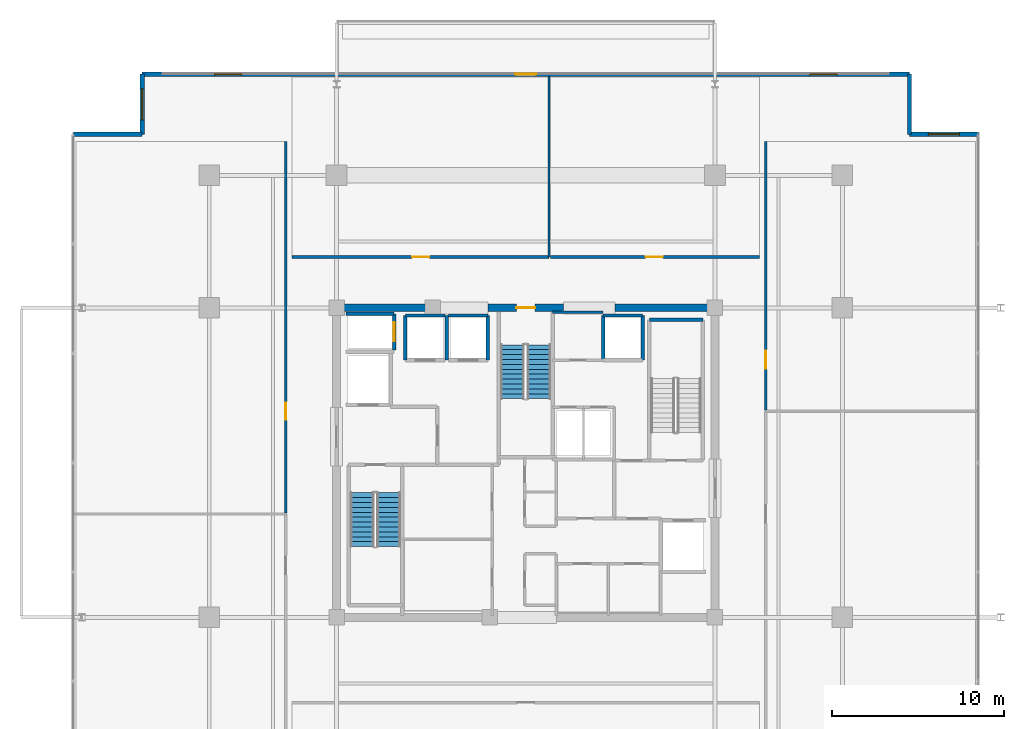
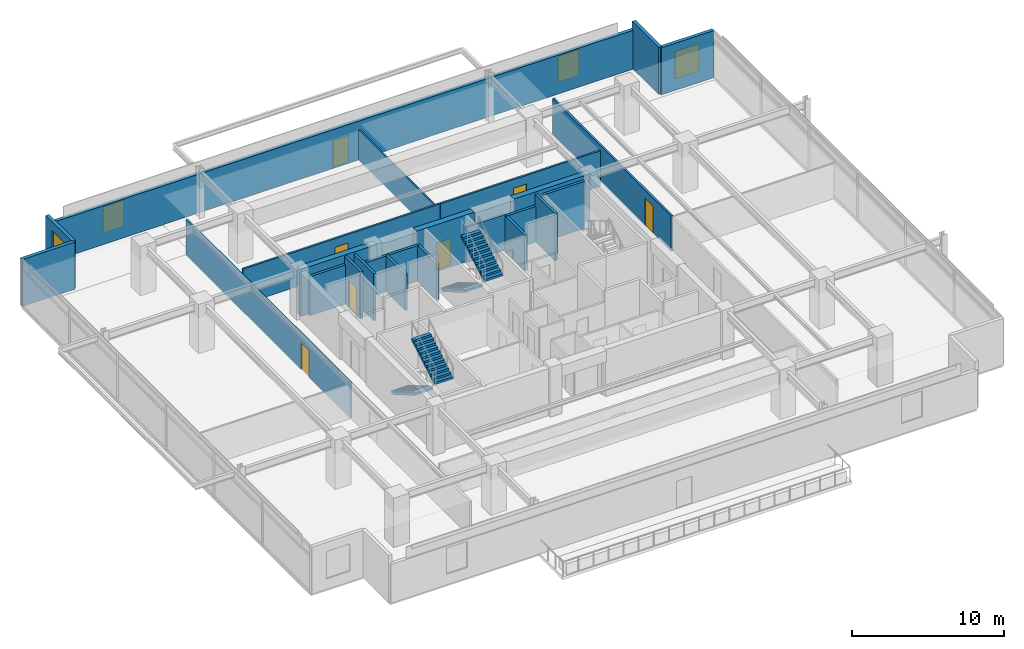
# One storey, part 17 of 23: 25 walls, 7 doors, 4 stair flights, 4 windows, 11 openings, 2 elements without a shape of their own.
"""IFC4 building model written with IfcOpenShell, lengths in metres."""

from ifc_helpers import new_model, si_unit, direction, frame, frame_2d, origin, place, context, subcontext, project, spatial, polyline, rectangle, outline, extrude, material, layer, layer_set, type_object, element, fill, aggregate, save


model = new_model("IFC4")

# Units and contexts
model_context = context("Model", 3, precision=1e-05, world=origin(), true_north=direction((0.0, 1.0)))
body_context = subcontext(model_context, "Body", "Model", "MODEL_VIEW")
ifc_project = project(units=[si_unit("LENGTHUNIT", "METRE"), si_unit("AREAUNIT", "SQUARE_METRE"), si_unit("VOLUMEUNIT", "CUBIC_METRE"), si_unit("PLANEANGLEUNIT", "RADIAN"), si_unit("MASSUNIT", "GRAM", prefix="KILO")], contexts=[model_context])

# Site, building, storey
site_placement = place(None, origin())
site = spatial("IfcSite", under=ifc_project, at=site_placement, CompositionType="ELEMENT")
building_placement = place(site_placement, origin())
building = spatial("IfcBuilding", under=site, at=building_placement, Name="Kovane Verandah Tower", CompositionType="ELEMENT")
storey_placement = place(building_placement, frame((0.0, 0.0, 243.199951171875)))
storey = spatial("IfcBuildingStorey", under=building, at=storey_placement, Name="L56", CompositionType="ELEMENT", Elevation=243.199951171875)

# Wall
ifc_material_1 = material(Name="Fire-Rated Gypsum Stud Partition", Category="gypsum")
ifc_layer_1 = layer(ifc_material_1, 0.14990234375)
ifc_layer_set_1 = layer_set([ifc_layer_1], Name="Fire-Rated Gypsum Stud Partition")
wall_type_1 = type_object("IfcWallType", Name="WL-COR-150", PredefinedType="PARTITIONING", material=ifc_layer_set_1)
wall_1_placement = place(storey_placement, frame((41.56005859375, 36.25, 0.0), z_axis=(0.0, 0.0, 1.0), x_axis=(1.0, 0.0, 0.0)))
element("IfcWall", 1, at=wall_1_placement, inside=storey, type_object=wall_type_1, Name="L56 Sky Telecom Riser North Wall", PredefinedType="PARTITIONING", context=body_context, shape_type="SweptSolid", body=[
    extrude(rectangle(XDim=2.93994140625, YDim=0.14990234375, at=frame_2d((1.469970703125, 0.0))), origin(), (0.0, 0.0, 1.0), 2.85009765625),
])

# Wall, opening, door
wall_2_placement = place(storey_placement, frame((26.39990234375, 39.449951171875, 0.0), z_axis=(0.0, 0.0, 1.0), x_axis=(1.0, 0.0, 0.0)))
wall_2 = element("IfcWall", 2, at=wall_2_placement, inside=storey, type_object=wall_type_1, Name="L56 Meeting Room N1 Corridor Partition", PredefinedType="PARTITIONING", context=body_context, shape_type="SweptSolid", body=[
    extrude(rectangle(XDim=14.960205078125, YDim=0.14990234375, at=frame_2d((7.47998046875, 0.0))), origin(), (0.0, 0.0, 1.0), 2.85009765625),
])
opening_1_placement = place(wall_2_placement, frame((6.9951171875, 0.0, 0.0)))
opening_1 = element("IfcOpeningElement", 3, at=opening_1_placement, cuts=wall_2, Name="Opening DR-L56-021", PredefinedType="OPENING", context=body_context, shape_type="SweptSolid", body=[
    extrude(rectangle(XDim=1.0, YDim=2.14990234375, at=frame_2d((0.5, 1.074951171875))), frame((0.0, 0.074951171875, 0.0), z_axis=(0.0, -1.0, 0.0), x_axis=(1.0, 0.0, 0.0)), (0.0, 0.0, 1.0), 0.14990234375),
])
ifc_material_2 = material(Name="FSC Spotted-Gum Timber Fire-Rated Office Door", Category="wood")
door_type_1 = type_object("IfcDoorType", Name="DR-OFF-1000", OperationType="SINGLE_SWING_LEFT", PredefinedType="DOOR", material=ifc_material_2)
door_1_placement = place(opening_1_placement, origin())
door_1 = element("IfcDoor", 4, at=door_1_placement, inside=storey, type_object=door_type_1, Name="L56 Meeting Room N1 Entrance Door", OperationType="SINGLE_SWING_RIGHT", OverallHeight=2.14990234375, OverallWidth=1.0, PredefinedType="DOOR", context=body_context, shape_type="SweptSolid", body=[
    extrude(rectangle(XDim=1.0, YDim=2.14990234375, at=frame_2d((0.5, 1.074951171875))), frame((0.0, 0.02490234375, 0.0), z_axis=(0.0, -1.0, 0.0), x_axis=(1.0, 0.0, 0.0)), (0.0, 0.0, 1.0), 0.050048828125),
])
fill(opening_1, door_1)

wall_3_placement = place(storey_placement, frame((41.429931640625, 39.449951171875, 0.0), z_axis=(0.0, 0.0, 1.0), x_axis=(1.0, 0.0, 0.0)))
wall_3 = element("IfcWall", 5, at=wall_3_placement, inside=storey, type_object=wall_type_1, Name="L56 Focus Studio N2 Corridor Partition", PredefinedType="PARTITIONING", context=body_context, shape_type="SweptSolid", body=[
    extrude(rectangle(XDim=12.170166015625, YDim=0.14990234375, at=frame_2d((6.0849609375, 0.0))), origin(), (0.0, 0.0, 1.0), 2.85009765625),
])
opening_2_placement = place(wall_3_placement, frame((5.534912109375, 0.0, 0.0)))
opening_2 = element("IfcOpeningElement", 6, at=opening_2_placement, cuts=wall_3, Name="Opening DR-L56-022", PredefinedType="OPENING", context=body_context, shape_type="SweptSolid", body=[
    extrude(rectangle(XDim=1.0, YDim=2.14990234375, at=frame_2d((0.5, 1.074951171875))), frame((0.0, 0.074951171875, 0.0), z_axis=(0.0, -1.0, 0.0), x_axis=(1.0, 0.0, 0.0)), (0.0, 0.0, 1.0), 0.14990234375),
])
door_2_placement = place(opening_2_placement, origin())
door_2 = element("IfcDoor", 7, at=door_2_placement, inside=storey, type_object=door_type_1, Name="L56 Focus Studio N2 Entrance Door", OperationType="SINGLE_SWING_LEFT", OverallHeight=2.14990234375, OverallWidth=1.0, PredefinedType="DOOR", context=body_context, shape_type="SweptSolid", body=[
    extrude(rectangle(XDim=1.0, YDim=2.14990234375, at=frame_2d((0.5, 1.074951171875))), frame((0.0, 0.02490234375, 0.0), z_axis=(0.0, -1.0, 0.0), x_axis=(1.0, 0.0, 0.0)), (0.0, 0.0, 1.0), 0.050048828125),
])
fill(opening_2, door_2)

wall_4_placement = place(storey_placement, frame((26.050048828125, 24.581298828125, 0.0), z_axis=(0.0, 0.0, 1.0), x_axis=(0.0, 1.0, 0.0)))
wall_4 = element("IfcWall", 8, at=wall_4_placement, inside=storey, type_object=wall_type_1, Name="L56 Document and Print Room W2 Corridor Partition", PredefinedType="PARTITIONING", context=body_context, shape_type="SweptSolid", body=[
    extrude(rectangle(XDim=21.5986328125, YDim=0.14990234375, at=frame_2d((10.79931640625, 0.0))), origin(), (0.0, 0.0, 1.0), 2.85009765625),
])
opening_3_placement = place(wall_4_placement, frame((5.409423828125, 0.0, 0.0)))
opening_3 = element("IfcOpeningElement", 9, at=opening_3_placement, cuts=wall_4, Name="Opening DR-L56-028", PredefinedType="OPENING", context=body_context, shape_type="SweptSolid", body=[
    extrude(rectangle(XDim=1.0, YDim=2.14990234375, at=frame_2d((0.5, 1.074951171875))), frame((0.0, 0.074951171875, 0.0), z_axis=(0.0, -1.0, 0.0), x_axis=(1.0, 0.0, 0.0)), (0.0, 0.0, 1.0), 0.14990234375),
])
door_3_placement = place(opening_3_placement, origin())
door_3 = element("IfcDoor", 10, at=door_3_placement, inside=storey, type_object=door_type_1, Name="L56 Document and Print Room W2 Entrance Door", OperationType="SINGLE_SWING_RIGHT", OverallHeight=2.14990234375, OverallWidth=1.0, PredefinedType="DOOR", context=body_context, shape_type="SweptSolid", body=[
    extrude(rectangle(XDim=1.0, YDim=2.14990234375, at=frame_2d((0.5, 1.074951171875))), frame((0.0, 0.02490234375, 0.0), z_axis=(0.0, -1.0, 0.0), x_axis=(1.0, 0.0, 0.0)), (0.0, 0.0, 1.0), 0.050048828125),
])
fill(opening_3, door_3)

wall_5_placement = place(storey_placement, frame((53.949951171875, 30.558837890625, 0.0), z_axis=(0.0, 0.0, 1.0), x_axis=(0.0, 1.0, 0.0)))
wall_5 = element("IfcWall", 11, at=wall_5_placement, inside=storey, type_object=wall_type_1, Name="L56 Executive Office E2 Corridor Partition", PredefinedType="PARTITIONING", context=body_context, shape_type="SweptSolid", body=[
    extrude(rectangle(XDim=15.62109375, YDim=0.14990234375, at=frame_2d((7.810546875, 0.0))), origin(), (0.0, 0.0, 1.0), 2.85009765625),
])
opening_4_placement = place(wall_5_placement, frame((2.3955078125, 0.0, 0.0)))
opening_4 = element("IfcOpeningElement", 12, at=opening_4_placement, cuts=wall_5, Name="Opening DR-L56-012", PredefinedType="OPENING", context=body_context, shape_type="SweptSolid", body=[
    extrude(rectangle(XDim=1.050048828125, YDim=2.199951171875, at=frame_2d((0.52490234375, 1.10009765625))), frame((0.0, 0.074951171875, 0.0), z_axis=(0.0, -1.0, 0.0), x_axis=(1.0, 0.0, 0.0)), (0.0, 0.0, 1.0), 0.14990234375),
])
ifc_material_3 = material(Name="FSC Blackbutt Timber Fire-Rated Executive Door", Category="wood")
door_type_2 = type_object("IfcDoorType", Name="DR-EXEC-1050", OperationType="SINGLE_SWING_LEFT", PredefinedType="DOOR", material=ifc_material_3)
door_4_placement = place(opening_4_placement, origin())
door_4 = element("IfcDoor", 13, at=door_4_placement, inside=storey, type_object=door_type_2, Name="L56 Executive Office E2 Entrance Door", OperationType="SINGLE_SWING_RIGHT", OverallHeight=2.199951171875, OverallWidth=1.050048828125, PredefinedType="DOOR", context=body_context, shape_type="SweptSolid", body=[
    extrude(rectangle(XDim=1.050048828125, YDim=2.199951171875, at=frame_2d((0.52490234375, 1.10009765625))), frame((0.0, 0.02490234375, 0.0), z_axis=(0.0, -1.0, 0.0), x_axis=(1.0, 0.0, 0.0)), (0.0, 0.0, 1.0), 0.050048828125),
])
fill(opening_4, door_4)

# Wall
ifc_material_4 = material(Name="Concrete C60/75", Category="concrete")
ifc_layer_2 = layer(ifc_material_4, 0.449951171875)
ifc_layer_set_2 = layer_set([ifc_layer_2], Name="Concrete C60/75")
wall_type_2 = type_object("IfcWallType", Name="WL-CORE-450", PredefinedType="SHEAR", material=ifc_layer_set_2)
wall_6_placement = place(storey_placement, frame((29.0, 36.5, 0.0), z_axis=(0.0, 0.0, 1.0), x_axis=(1.0, 0.0, 0.0)))
element("IfcWall", 14, at=wall_6_placement, inside=storey, type_object=wall_type_2, Name="L56 Core Shear Wall CN-1", PredefinedType="SHEAR", context=body_context, shape_type="SweptSolid", body=[
    extrude(rectangle(XDim=5.800048828125, YDim=0.449951171875, at=frame_2d((2.89990234375, 0.0))), origin(), (0.0, 0.0, 1.0), 3.78515625),
])

# Wall, opening, door
wall_7_placement = place(storey_placement, frame((37.800048828125, 36.5, 0.0), z_axis=(0.0, 0.0, 1.0), x_axis=(1.0, 0.0, 0.0)))
wall_7 = element("IfcWall", 15, at=wall_7_placement, inside=storey, type_object=wall_type_2, Name="L56 Core Shear Wall CN-2", PredefinedType="SHEAR", context=body_context, shape_type="SweptSolid", body=[
    extrude(rectangle(XDim=4.39990234375, YDim=0.449951171875, at=frame_2d((2.199951171875, 0.0))), origin(), (0.0, 0.0, 1.0), 3.78515625),
])
opening_5_placement = place(wall_7_placement, frame((1.64990234375, 0.0, 0.0)))
opening_5 = element("IfcOpeningElement", 16, at=opening_5_placement, cuts=wall_7, Name="Opening DR-L56-010", PredefinedType="OPENING", context=body_context, shape_type="SweptSolid", body=[
    extrude(rectangle(XDim=1.10009765625, YDim=2.14990234375, at=frame_2d((0.550048828125, 1.074951171875))), frame((0.0, 0.22509765625, 0.0), z_axis=(0.0, -1.0, 0.0), x_axis=(1.0, 0.0, 0.0)), (0.0, 0.0, 1.0), 0.449951171875),
])
ifc_material_5 = material(Name="Fire-Rated Steel Exit Door", Category="steel")
door_type_3 = type_object("IfcDoorType", Name="DR-STAIR-1100", OperationType="SINGLE_SWING_LEFT", PredefinedType="DOOR", material=ifc_material_5)
door_5_placement = place(opening_5_placement, origin())
door_5 = element("IfcDoor", 17, at=door_5_placement, inside=storey, type_object=door_type_3, Name="L56 ST-03 Fire Exit Stair Door", OperationType="SINGLE_SWING_RIGHT", OverallHeight=2.14990234375, OverallWidth=1.10009765625, PredefinedType="DOOR", context=body_context, shape_type="SweptSolid", body=[
    extrude(rectangle(XDim=1.10009765625, YDim=2.14990234375, at=frame_2d((0.550048828125, 1.074951171875))), frame((0.0, 0.02490234375, 0.0), z_axis=(0.0, -1.0, 0.0), x_axis=(1.0, 0.0, 0.0)), (0.0, 0.0, 1.0), 0.050048828125),
])
fill(opening_5, door_5)

# Walls
wall_8_placement = place(storey_placement, frame((45.199951171875, 36.5, 0.0), z_axis=(0.0, 0.0, 1.0), x_axis=(1.0, 0.0, 0.0)))
element("IfcWall", 18, at=wall_8_placement, inside=storey, type_object=wall_type_2, Name="L56 Core Shear Wall CN-3", PredefinedType="SHEAR", context=body_context, shape_type="SweptSolid", body=[
    extrude(rectangle(XDim=5.800048828125, YDim=0.449951171875, at=frame_2d((2.89990234375, 0.0))), origin(), (0.0, 0.0, 1.0), 3.78515625),
])
ifc_material_6 = material(Name="Concrete C45/55 Lift Shaft Wall", Category="concrete")
ifc_layer_3 = layer(ifc_material_6, 0.199951171875)
ifc_layer_set_3 = layer_set([ifc_layer_3], Name="Concrete C45/55 Lift Shaft Wall")
wall_type_3 = type_object("IfcWallType", Name="WL-LIFT-200", PredefinedType="SOLIDWALL", material=ifc_layer_set_3)
wall_9_placement = place(storey_placement, frame((32.35009765625, 36.14990234375, 0.0), z_axis=(0.0, 0.0, 1.0), x_axis=(-1.0, 0.0, 0.0)))
element("IfcWall", 19, at=wall_9_placement, inside=storey, type_object=wall_type_3, Name="L56 Lift GL-01 N Shaft Wall", PredefinedType="SOLIDWALL", context=body_context, shape_type="SweptSolid", body=[
    extrude(rectangle(XDim=2.800048828125, YDim=0.199951171875, at=frame_2d((1.39990234375, 0.0))), origin(), (0.0, 0.0, 1.0), 3.14794921875),
])

# Wall, opening, door
wall_10_placement = place(storey_placement, frame((32.35009765625, 34.050048828125, 0.0), z_axis=(0.0, 0.0, 1.0), x_axis=(0.0, 1.0, 0.0)))
wall_10 = element("IfcWall", 20, at=wall_10_placement, inside=storey, type_object=wall_type_3, Name="L56 Lift GL-01 E Shaft Wall", PredefinedType="SOLIDWALL", context=body_context, shape_type="SweptSolid", body=[
    extrude(rectangle(XDim=2.099853515625, YDim=0.199951171875, at=frame_2d((1.0498046875, 0.0))), origin(), (0.0, 0.0, 1.0), 3.78515625),
])
opening_6_placement = place(wall_10_placement, frame((0.5, 0.0, 0.0)))
opening_6 = element("IfcOpeningElement", 21, at=opening_6_placement, cuts=wall_10, Name="Opening LD-L56-003", PredefinedType="OPENING", context=body_context, shape_type="SweptSolid", body=[
    extrude(rectangle(XDim=1.10009765625, YDim=2.199951171875, at=frame_2d((0.550048828125, 1.10009765625))), frame((0.0, 0.10009765625, 0.0), z_axis=(0.0, -1.0, 0.0), x_axis=(1.0, 0.0, 0.0)), (0.0, 0.0, 1.0), 0.199951171875),
])
ifc_material_7 = material(Name="Brushed Stainless Steel Sliding Lift Landing Door", Category="steel")
door_type_4 = type_object("IfcDoorType", Name="DR-LIFT-1100", OperationType="SLIDING_TO_RIGHT", PredefinedType="DOOR", material=ifc_material_7)
door_6_placement = place(opening_6_placement, origin())
door_6 = element("IfcDoor", 22, at=door_6_placement, inside=storey, type_object=door_type_4, Name="L56 Lift GL-01 Sliding Landing Door", OperationType="SLIDING_TO_RIGHT", OverallHeight=2.199951171875, OverallWidth=1.10009765625, PredefinedType="DOOR", context=body_context, shape_type="SweptSolid", body=[
    extrude(rectangle(XDim=1.10009765625, YDim=2.199951171875, at=frame_2d((0.550048828125, 1.10009765625))), frame((0.0, 0.02490234375, 0.0), z_axis=(0.0, -1.0, 0.0), x_axis=(1.0, 0.0, 0.0)), (0.0, 0.0, 1.0), 0.050048828125),
])
fill(opening_6, door_6)

# Walls
wall_11_placement = place(storey_placement, frame((35.300048828125, 36.050048828125, 0.0), z_axis=(0.0, 0.0, 1.0), x_axis=(-1.0, 0.0, 0.0)))
element("IfcWall", 23, at=wall_11_placement, inside=storey, type_object=wall_type_3, Name="L56 Lift PL-H1 N Shaft Wall", PredefinedType="SOLIDWALL", context=body_context, shape_type="SweptSolid", body=[
    extrude(rectangle(XDim=2.300048828125, YDim=0.199951171875, at=frame_2d((1.14990234375, 0.0))), origin(), (0.0, 0.0, 1.0), 2.864990234375),
])
wall_12_placement = place(storey_placement, frame((33.0, 36.050048828125, 0.0), z_axis=(0.0, 0.0, 1.0), x_axis=(0.0, -1.0, 0.0)))
element("IfcWall", 24, at=wall_12_placement, inside=storey, type_object=wall_type_3, Name="L56 Lift PL-H1 W Shaft Wall", PredefinedType="SOLIDWALL", context=body_context, shape_type="SweptSolid", body=[
    extrude(rectangle(XDim=2.60009765625, YDim=0.199951171875, at=frame_2d((1.300048828125, 0.0))), origin(), (0.0, 0.0, 1.0), 3.78515625),
])
wall_13_placement = place(storey_placement, frame((35.39990234375, 33.449951171875, 0.0), z_axis=(0.0, 0.0, 1.0), x_axis=(0.0, 1.0, 0.0)))
element("IfcWall", 25, at=wall_13_placement, inside=storey, type_object=wall_type_3, Name="L56 Lift PL-H1 and PL-H2 Shared Shaft Wall", PredefinedType="SOLIDWALL", context=body_context, shape_type="SweptSolid", body=[
    extrude(rectangle(XDim=2.60009765625, YDim=0.199951171875, at=frame_2d((1.300048828125, 0.0))), origin(), (0.0, 0.0, 1.0), 2.864990234375),
])
wall_14_placement = place(storey_placement, frame((37.800048828125, 36.050048828125, 0.0), z_axis=(0.0, 0.0, 1.0), x_axis=(-1.0, 0.0, 0.0)))
element("IfcWall", 26, at=wall_14_placement, inside=storey, type_object=wall_type_3, Name="L56 Lift PL-H2 N Shaft Wall", PredefinedType="SOLIDWALL", context=body_context, shape_type="SweptSolid", body=[
    extrude(rectangle(XDim=2.300048828125, YDim=0.199951171875, at=frame_2d((1.14990234375, 0.0))), origin(), (0.0, 0.0, 1.0), 2.864990234375),
])
wall_15_placement = place(storey_placement, frame((37.800048828125, 33.449951171875, 0.0), z_axis=(0.0, 0.0, 1.0), x_axis=(0.0, 1.0, 0.0)))
element("IfcWall", 27, at=wall_15_placement, inside=storey, type_object=wall_type_3, Name="L56 Lift PL-H2 E Shaft Wall", PredefinedType="SOLIDWALL", context=body_context, shape_type="SweptSolid", body=[
    extrude(rectangle(XDim=2.60009765625, YDim=0.199951171875, at=frame_2d((1.300048828125, 0.0))), origin(), (0.0, 0.0, 1.0), 2.864990234375),
])
wall_16_placement = place(storey_placement, frame((46.800048828125, 36.050048828125, 0.0), z_axis=(0.0, 0.0, 1.0), x_axis=(-1.0, 0.0, 0.0)))
element("IfcWall", 28, at=wall_16_placement, inside=storey, type_object=wall_type_3, Name="L56 Lift OL-01 N Shaft Wall", PredefinedType="SOLIDWALL", context=body_context, shape_type="SweptSolid", body=[
    extrude(rectangle(XDim=2.300048828125, YDim=0.199951171875, at=frame_2d((1.14990234375, 0.0))), origin(), (0.0, 0.0, 1.0), 2.864990234375),
])
wall_17_placement = place(storey_placement, frame((44.5, 36.050048828125, 0.0), z_axis=(0.0, 0.0, 1.0), x_axis=(0.0, -1.0, 0.0)))
element("IfcWall", 29, at=wall_17_placement, inside=storey, type_object=wall_type_3, Name="L56 Lift OL-01 W Shaft Wall", PredefinedType="SOLIDWALL", context=body_context, shape_type="SweptSolid", body=[
    extrude(rectangle(XDim=2.60009765625, YDim=0.199951171875, at=frame_2d((1.300048828125, 0.0))), origin(), (0.0, 0.0, 1.0), 2.864990234375),
])
wall_18_placement = place(storey_placement, frame((46.800048828125, 33.449951171875, 0.0), z_axis=(0.0, 0.0, 1.0), x_axis=(0.0, 1.0, 0.0)))
element("IfcWall", 30, at=wall_18_placement, inside=storey, type_object=wall_type_3, Name="L56 Lift OL-01 E Shaft Wall", PredefinedType="SOLIDWALL", context=body_context, shape_type="SweptSolid", body=[
    extrude(rectangle(XDim=2.60009765625, YDim=0.199951171875, at=frame_2d((1.300048828125, 0.0))), origin(), (0.0, 0.0, 1.0), 3.78515625),
])
ifc_material_8 = material(Name="Acoustic Fire-Rated Gypsum Partition", Category="gypsum")
ifc_layer_4 = layer(ifc_material_8, 0.1201171875)
ifc_layer_set_4 = layer_set([ifc_layer_4], Name="Acoustic Fire-Rated Gypsum Partition")
wall_type_4 = type_object("IfcWallType", Name="WL-PART-120", PredefinedType="PARTITIONING", material=ifc_layer_set_4)
wall_19_placement = place(storey_placement, frame((41.360107421875, 39.449951171875, 0.0), z_axis=(0.0, 0.0, 1.0), x_axis=(0.0, 1.0, 0.0)))
element("IfcWall", 31, at=wall_19_placement, inside=storey, type_object=wall_type_4, Name="L56 Meeting Room N1 Dividing Partition", PredefinedType="PARTITIONING", context=body_context, shape_type="SweptSolid", body=[
    extrude(rectangle(XDim=10.530029296875, YDim=0.1201171875, at=frame_2d((5.26513671875, 0.0))), origin(), (0.0, 0.0, 1.0), 2.4150390625),
])
ifc_material_9 = material(Name="Concrete C45/55", Category="concrete")
ifc_layer_5 = layer(ifc_material_9, 0.199951171875)
ifc_layer_set_5 = layer_set([ifc_layer_5], Name="Concrete C45/55")
wall_type_5 = type_object("IfcWallType", Name="WL-SHAFT-200", PredefinedType="SOLIDWALL", material=ifc_layer_set_5)
wall_20_placement = place(storey_placement, frame((47.179931640625, 35.800048828125, 0.0), z_axis=(0.0, 0.0, 1.0), x_axis=(1.0, 0.0, 0.0)))
element("IfcWall", 32, at=wall_20_placement, inside=storey, type_object=wall_type_5, Name="W-L56-ST02-N", PredefinedType="SOLIDWALL", context=body_context, shape_type="SweptSolid", body=[
    extrude(rectangle(XDim=3.1201171875, YDim=0.199951171875, at=frame_2d((1.56005859375, 0.0))), origin(), (0.0, 0.0, 1.0), 3.78515625),
])

# Wall, openings, door, windows
ifc_material_10 = material(Name="Concrete C45/55 Insulated Spandrel Wall", Category="concrete")
ifc_layer_6 = layer(ifc_material_10, 0.260009765625)
ifc_layer_set_6 = layer_set([ifc_layer_6], Name="Concrete C45/55 Insulated Spandrel Wall")
wall_type_6 = type_object("IfcWallType", Name="WL-SPANDREL-260", PredefinedType="PARAPET", material=ifc_layer_set_6)
wall_21_placement = place(storey_placement, frame((62.3076171875, 50.080078125, 0.0), z_axis=(0.0, 0.0, 1.0), x_axis=(-1.0, 0.0, 0.0)))
wall_21 = element("IfcWall", 33, at=wall_21_placement, inside=storey, type_object=wall_type_6, Name="L56 N Verandah Access Facade Wall", PredefinedType="PARAPET", context=body_context, shape_type="SweptSolid", body=[
    extrude(rectangle(XDim=44.615234375, YDim=0.260009765625, at=frame_2d((22.3076171875, 0.0))), origin(), (0.0, 0.0, 1.0), 3.122802734375),
])
opening_7_placement = place(wall_21_placement, frame((4.199951171875, 0.0, 0.85009765625)))
opening_7 = element("IfcOpeningElement", 34, at=opening_7_placement, cuts=wall_21, Name="Opening W-02", PredefinedType="OPENING", context=body_context, shape_type="SweptSolid", body=[
    extrude(rectangle(XDim=1.60009765625, YDim=2.10009765625, at=frame_2d((0.800048828125, 1.050048828125))), frame((0.0, 0.1298828125, 0.0), z_axis=(0.0, -1.0, 0.0), x_axis=(1.0, 0.0, 0.0)), (0.0, 0.0, 1.0), 0.260009765625),
])
opening_8_placement = place(wall_21_placement, frame((21.70751953125, 0.0, 0.0)))
opening_8 = element("IfcOpeningElement", 35, at=opening_8_placement, cuts=wall_21, Name="Opening DR-L56-001", PredefinedType="OPENING", context=body_context, shape_type="SweptSolid", body=[
    extrude(rectangle(XDim=1.199951171875, YDim=2.199951171875, at=frame_2d((0.60009765625, 1.10009765625))), frame((0.0, 0.1298828125, 0.0), z_axis=(0.0, -1.0, 0.0), x_axis=(1.0, 0.0, 0.0)), (0.0, 0.0, 1.0), 0.260009765625),
])
opening_9_placement = place(wall_21_placement, frame((38.815185546875, 0.0, 0.85009765625)))
opening_9 = element("IfcOpeningElement", 36, at=opening_9_placement, cuts=wall_21, Name="Opening W-02", PredefinedType="OPENING", context=body_context, shape_type="SweptSolid", body=[
    extrude(rectangle(XDim=1.60009765625, YDim=2.10009765625, at=frame_2d((0.800048828125, 1.050048828125))), frame((0.0, 0.1298828125, 0.0), z_axis=(0.0, -1.0, 0.0), x_axis=(1.0, 0.0, 0.0)), (0.0, 0.0, 1.0), 0.260009765625),
])
ifc_material_11 = material(Name="Cyclone-Rated Glazed Balcony Leaf Door", Category="aluminium")
door_type_5 = type_object("IfcDoorType", Name="DR-BAL-1200x2200", OperationType="SINGLE_SWING_LEFT", PredefinedType="DOOR", material=ifc_material_11)
door_7_placement = place(opening_8_placement, origin())
door_7 = element("IfcDoor", 37, at=door_7_placement, inside=storey, type_object=door_type_5, Name="L56 N Planted Balcony Access Door", OperationType="SINGLE_SWING_LEFT", OverallHeight=2.199951171875, OverallWidth=1.199951171875, PredefinedType="DOOR", context=body_context, shape_type="SweptSolid", body=[
    extrude(rectangle(XDim=1.199951171875, YDim=2.199951171875, at=frame_2d((0.60009765625, 1.10009765625))), frame((0.0, 0.02490234375, 0.0), z_axis=(0.0, -1.0, 0.0), x_axis=(1.0, 0.0, 0.0)), (0.0, 0.0, 1.0), 0.050048828125),
])
fill(opening_8, door_7)
ifc_material_12 = material(Name="Clear Low-E Laminated Double Glazing in Anodised Frame", Category="glass")
window_type_1 = type_object("IfcWindowType", Name="WN-OPER-1600x2100", PartitioningType="SINGLE_PANEL", PredefinedType="WINDOW", material=ifc_material_12)
window_1_placement = place(opening_7_placement, origin())
window_1 = element("IfcWindow", 38, at=window_1_placement, inside=storey, type_object=window_type_1, Name="L56 N Verandah View Window 1", OverallHeight=2.10009765625, OverallWidth=1.60009765625, PartitioningType="SINGLE_PANEL", PredefinedType="WINDOW", context=body_context, shape_type="SweptSolid", body=[
    extrude(rectangle(XDim=1.60009765625, YDim=2.10009765625, at=frame_2d((0.800048828125, 1.050048828125))), frame((0.0, 0.030029296875, 0.0), z_axis=(0.0, -1.0, 0.0), x_axis=(1.0, 0.0, 0.0)), (0.0, 0.0, 1.0), 0.06005859375),
])
fill(opening_7, window_1)
window_2_placement = place(opening_9_placement, origin())
window_2 = element("IfcWindow", 39, at=window_2_placement, inside=storey, type_object=window_type_1, Name="L56 N Verandah View Window 2", OverallHeight=2.10009765625, OverallWidth=1.60009765625, PartitioningType="SINGLE_PANEL", PredefinedType="WINDOW", context=body_context, shape_type="SweptSolid", body=[
    extrude(rectangle(XDim=1.60009765625, YDim=2.10009765625, at=frame_2d((0.800048828125, 1.050048828125))), frame((0.0, 0.030029296875, 0.0), z_axis=(0.0, -1.0, 0.0), x_axis=(1.0, 0.0, 0.0)), (0.0, 0.0, 1.0), 0.06005859375),
])
fill(opening_9, window_2)

# Wall, opening, window
wall_22_placement = place(storey_placement, frame((66.3076171875, 46.580078125, 0.0), z_axis=(0.0, 0.0, 1.0), x_axis=(-1.0, 0.0, 0.0)))
wall_22 = element("IfcWall", 40, at=wall_22_placement, inside=storey, type_object=wall_type_6, Name="L56 NE Notch Cheek Wall 1", PredefinedType="PARAPET", context=body_context, shape_type="SweptSolid", body=[
    extrude(rectangle(XDim=4.0, YDim=0.260009765625, at=frame_2d((2.0, 0.0))), origin(), (0.0, 0.0, 1.0), 3.78515625),
])
opening_10_placement = place(wall_22_placement, frame((1.10009765625, 0.0, 0.85009765625)))
opening_10 = element("IfcOpeningElement", 41, at=opening_10_placement, cuts=wall_22, Name="Opening W-03", PredefinedType="OPENING", context=body_context, shape_type="SweptSolid", body=[
    extrude(rectangle(XDim=1.800048828125, YDim=2.199951171875, at=frame_2d((0.89990234375, 1.10009765625))), frame((0.0, 0.1298828125, 0.0), z_axis=(0.0, -1.0, 0.0), x_axis=(1.0, 0.0, 0.0)), (0.0, 0.0, 1.0), 0.260009765625),
])
window_type_2 = type_object("IfcWindowType", Name="WN-NOTCH-1800x2200", PartitioningType="SINGLE_PANEL", PredefinedType="WINDOW", material=ifc_material_12)
window_3_placement = place(opening_10_placement, origin())
window_3 = element("IfcWindow", 42, at=window_3_placement, inside=storey, type_object=window_type_2, Name="L56 NE Re-Entrant Corner Operable Window", OverallHeight=2.199951171875, OverallWidth=1.800048828125, PartitioningType="SINGLE_PANEL", PredefinedType="WINDOW", context=body_context, shape_type="SweptSolid", body=[
    extrude(rectangle(XDim=1.800048828125, YDim=2.199951171875, at=frame_2d((0.89990234375, 1.10009765625))), frame((0.0, 0.030029296875, 0.0), z_axis=(0.0, -1.0, 0.0), x_axis=(1.0, 0.0, 0.0)), (0.0, 0.0, 1.0), 0.06005859375),
])
fill(opening_10, window_3)

# Wall
wall_23_placement = place(storey_placement, frame((62.3076171875, 46.580078125, 0.0), z_axis=(0.0, 0.0, 1.0), x_axis=(0.0, 1.0, 0.0)))
element("IfcWall", 43, at=wall_23_placement, inside=storey, type_object=wall_type_6, Name="L56 NE Notch Cheek Wall 2", PredefinedType="PARAPET", context=body_context, shape_type="SweptSolid", body=[
    extrude(rectangle(XDim=3.5, YDim=0.260009765625, at=frame_2d((1.75, 0.0))), origin(), (0.0, 0.0, 1.0), 3.78515625),
])

# Wall, opening, window
wall_24_placement = place(storey_placement, frame((17.6923828125, 50.080078125, 0.0), z_axis=(0.0, 0.0, 1.0), x_axis=(0.0, -1.0, 0.0)))
wall_24 = element("IfcWall", 44, at=wall_24_placement, inside=storey, type_object=wall_type_6, Name="L56 NW Notch Cheek Wall 1", PredefinedType="PARAPET", context=body_context, shape_type="SweptSolid", body=[
    extrude(rectangle(XDim=3.5, YDim=0.260009765625, at=frame_2d((1.75, 0.0))), origin(), (0.0, 0.0, 1.0), 3.78515625),
])
opening_11_placement = place(wall_24_placement, frame((0.85009765625, 0.0, 0.85009765625)))
opening_11 = element("IfcOpeningElement", 45, at=opening_11_placement, cuts=wall_24, Name="Opening W-03", PredefinedType="OPENING", context=body_context, shape_type="SweptSolid", body=[
    extrude(rectangle(XDim=1.800048828125, YDim=2.199951171875, at=frame_2d((0.89990234375, 1.10009765625))), frame((0.0, 0.1298828125, 0.0), z_axis=(0.0, -1.0, 0.0), x_axis=(1.0, 0.0, 0.0)), (0.0, 0.0, 1.0), 0.260009765625),
])
window_4_placement = place(opening_11_placement, origin())
window_4 = element("IfcWindow", 46, at=window_4_placement, inside=storey, type_object=window_type_2, Name="L56 NW Re-Entrant Corner Operable Window", OverallHeight=2.199951171875, OverallWidth=1.800048828125, PartitioningType="SINGLE_PANEL", PredefinedType="WINDOW", context=body_context, shape_type="SweptSolid", body=[
    extrude(rectangle(XDim=1.800048828125, YDim=2.199951171875, at=frame_2d((0.89990234375, 1.10009765625))), frame((0.0, 0.030029296875, 0.0), z_axis=(0.0, -1.0, 0.0), x_axis=(1.0, 0.0, 0.0)), (0.0, 0.0, 1.0), 0.06005859375),
])
fill(opening_11, window_4)

# Wall
wall_25_placement = place(storey_placement, frame((17.6923828125, 46.580078125, 0.0), z_axis=(0.0, 0.0, 1.0), x_axis=(-1.0, 0.0, 0.0)))
element("IfcWall", 47, at=wall_25_placement, inside=storey, type_object=wall_type_6, Name="L56 NW Notch Cheek Wall 2", PredefinedType="PARAPET", context=body_context, shape_type="SweptSolid", body=[
    extrude(rectangle(XDim=4.0, YDim=0.260009765625, at=frame_2d((2.0, 0.0))), origin(), (0.0, 0.0, 1.0), 3.78515625),
])

# Stair, stair flights
stair_type = type_object("IfcStairType", Name="ST-CORE-1380", PredefinedType="HALF_TURN_STAIR", material=ifc_material_9)
stair_1_placement = place(storey_placement, origin())
stair_1 = element("IfcStair", 48, at=stair_1_placement, inside=storey, type_object=stair_type, Name="L56 Exit Stair ST-01", PredefinedType="HALF_TURN_STAIR")
stair_flight_type = type_object("IfcStairFlightType", Name="STF-CORE-1380", PredefinedType="STRAIGHT", material=ifc_material_9)
stair_flight_1_placement = place(storey_placement, frame((30.489990234375, 25.75, 0.0), z_axis=(0.0, 0.0, 1.0), x_axis=(0.0, -1.0, 0.0)))
stair_flight_1 = element("IfcStairFlight", 49, at=stair_flight_1_placement, type_object=stair_flight_type, Name="ST-01 flight 1", NumberOfRisers=12, NumberOfTreads=11, PredefinedType="STRAIGHT", RiserHeight=0.166666667, TreadLength=0.285, context=body_context, shape_type="SweptSolid", body=[
    extrude(outline(polyline([(0.0, 0.0), (0.0, 0.166748046875), (0.284912109375, 0.166748046875), (0.284912109375, 0.333251953125), (0.570068359375, 0.333251953125), (0.570068359375, 0.5), (0.85498046875, 0.5), (0.85498046875, 0.666748046875), (1.139892578125, 0.666748046875), (1.139892578125, 0.833251953125), (1.425048828125, 0.833251953125), (1.425048828125, 1.0), (1.7099609375, 1.0), (1.7099609375, 1.166748046875), (1.9951171875, 1.166748046875), (1.9951171875, 1.333251953125), (2.280029296875, 1.333251953125), (2.280029296875, 1.5), (2.56494140625, 1.5), (2.56494140625, 1.666748046875), (2.85009765625, 1.666748046875), (2.85009765625, 1.833251953125), (3.135009765625, 1.833251953125), (3.135009765625, 2.0), (3.135009765625, 1.65966796875), (0.296875, 0.0), (0.0, 0.0)])), frame((0.0, 0.68994140625, 0.0), z_axis=(0.0, -1.0, 0.0), x_axis=(1.0, 0.0, 0.0)), (0.0, 0.0, 1.0), 1.3798828125),
])
stair_flight_2_placement = place(storey_placement, frame((32.030029296875, 22.614990234375, 2.0), z_axis=(0.0, 0.0, 1.0), x_axis=(0.0, 1.0, 0.0)))
stair_flight_2 = element("IfcStairFlight", 50, at=stair_flight_2_placement, type_object=stair_flight_type, Name="ST-01 flight 2", NumberOfRisers=12, NumberOfTreads=11, PredefinedType="STRAIGHT", RiserHeight=0.166666667, TreadLength=0.285, context=body_context, shape_type="SweptSolid", body=[
    extrude(outline(polyline([(0.0, 0.0), (0.0, 0.166748046875), (0.284912109375, 0.166748046875), (0.284912109375, 0.333251953125), (0.570068359375, 0.333251953125), (0.570068359375, 0.5), (0.85498046875, 0.5), (0.85498046875, 0.666748046875), (1.139892578125, 0.666748046875), (1.139892578125, 0.833251953125), (1.425048828125, 0.833251953125), (1.425048828125, 1.0), (1.7099609375, 1.0), (1.7099609375, 1.166748046875), (1.9951171875, 1.166748046875), (1.9951171875, 1.333251953125), (2.280029296875, 1.333251953125), (2.280029296875, 1.5), (2.56494140625, 1.5), (2.56494140625, 1.666748046875), (2.85009765625, 1.666748046875), (2.85009765625, 1.833251953125), (3.135009765625, 1.833251953125), (3.135009765625, 2.0), (3.135009765625, 1.65966796875), (0.296875, 0.0), (0.0, 0.0)])), frame((0.0, 0.68994140625, 0.0), z_axis=(0.0, -1.0, 0.0), x_axis=(1.0, 0.0, 0.0)), (0.0, 0.0, 1.0), 1.3798828125),
])
aggregate(stair_1, [stair_flight_1, stair_flight_2])

stair_2_placement = place(storey_placement, origin())
stair_2 = element("IfcStair", 51, at=stair_2_placement, inside=storey, type_object=stair_type, Name="L56 Exit Stair ST-03", PredefinedType="HALF_TURN_STAIR")
stair_flight_3_placement = place(storey_placement, frame((39.22998046875, 34.35009765625, 0.0), z_axis=(0.0, 0.0, 1.0), x_axis=(0.0, -1.0, 0.0)))
stair_flight_3 = element("IfcStairFlight", 52, at=stair_flight_3_placement, type_object=stair_flight_type, Name="ST-03 flight 1", NumberOfRisers=12, NumberOfTreads=11, PredefinedType="STRAIGHT", RiserHeight=0.166666667, TreadLength=0.285, context=body_context, shape_type="SweptSolid", body=[
    extrude(outline(polyline([(0.0, 0.0), (0.0, 0.166748046875), (0.284912109375, 0.166748046875), (0.284912109375, 0.333251953125), (0.570068359375, 0.333251953125), (0.570068359375, 0.5), (0.85498046875, 0.5), (0.85498046875, 0.666748046875), (1.139892578125, 0.666748046875), (1.139892578125, 0.833251953125), (1.425048828125, 0.833251953125), (1.425048828125, 1.0), (1.7099609375, 1.0), (1.7099609375, 1.166748046875), (1.9951171875, 1.166748046875), (1.9951171875, 1.333251953125), (2.280029296875, 1.333251953125), (2.280029296875, 1.5), (2.56494140625, 1.5), (2.56494140625, 1.666748046875), (2.85009765625, 1.666748046875), (2.85009765625, 1.833251953125), (3.135009765625, 1.833251953125), (3.135009765625, 2.0), (3.135009765625, 1.65966796875), (0.296875, 0.0), (0.0, 0.0)])), frame((0.0, 0.68994140625, 0.0), z_axis=(0.0, -1.0, 0.0), x_axis=(1.0, 0.0, 0.0)), (0.0, 0.0, 1.0), 1.3798828125),
])
stair_flight_4_placement = place(storey_placement, frame((40.77001953125, 31.215087890625, 2.0), z_axis=(0.0, 0.0, 1.0), x_axis=(0.0, 1.0, 0.0)))
stair_flight_4 = element("IfcStairFlight", 53, at=stair_flight_4_placement, type_object=stair_flight_type, Name="ST-03 flight 2", NumberOfRisers=12, NumberOfTreads=11, PredefinedType="STRAIGHT", RiserHeight=0.166666667, TreadLength=0.285, context=body_context, shape_type="SweptSolid", body=[
    extrude(outline(polyline([(0.0, 0.0), (0.0, 0.166748046875), (0.284912109375, 0.166748046875), (0.284912109375, 0.333251953125), (0.570068359375, 0.333251953125), (0.570068359375, 0.5), (0.85498046875, 0.5), (0.85498046875, 0.666748046875), (1.139892578125, 0.666748046875), (1.139892578125, 0.833251953125), (1.425048828125, 0.833251953125), (1.425048828125, 1.0), (1.7099609375, 1.0), (1.7099609375, 1.166748046875), (1.9951171875, 1.166748046875), (1.9951171875, 1.333251953125), (2.280029296875, 1.333251953125), (2.280029296875, 1.5), (2.56494140625, 1.5), (2.56494140625, 1.666748046875), (2.85009765625, 1.666748046875), (2.85009765625, 1.833251953125), (3.135009765625, 1.833251953125), (3.135009765625, 2.0), (3.135009765625, 1.65966796875), (0.296875, 0.0), (0.0, 0.0)])), frame((0.0, 0.68994140625, 0.0), z_axis=(0.0, -1.0, 0.0), x_axis=(1.0, 0.0, 0.0)), (0.0, 0.0, 1.0), 1.3798828125),
])
aggregate(stair_2, [stair_flight_3, stair_flight_4])

save(model, "model.ifc")
